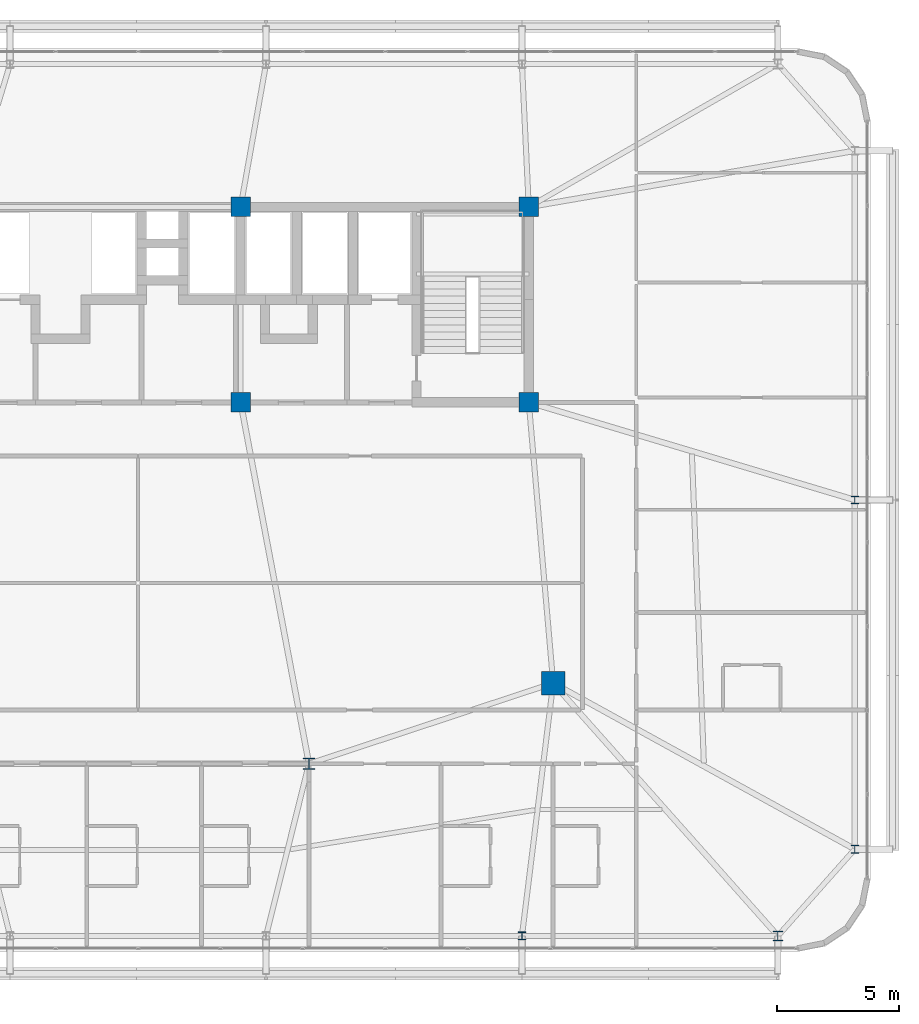
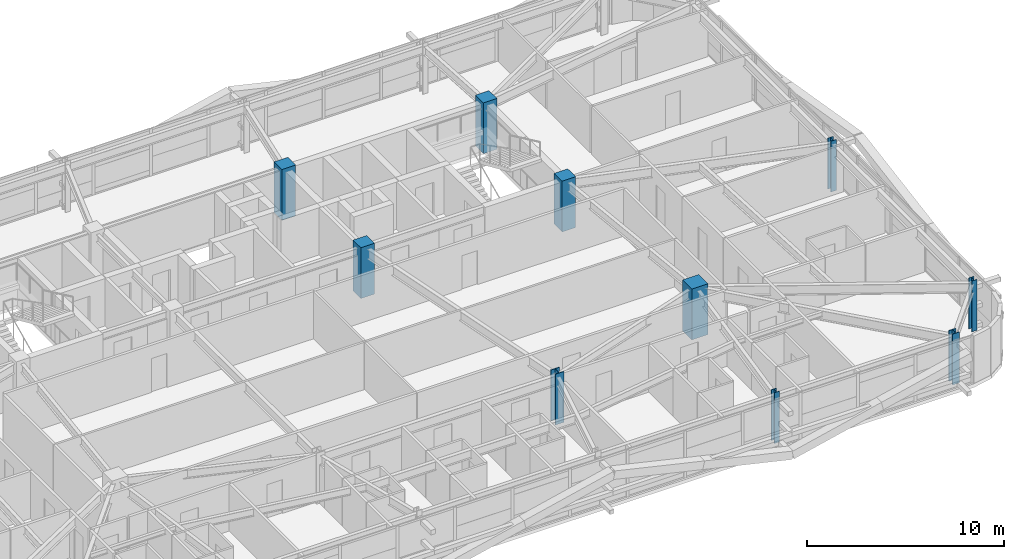
# One storey, part 2 of 59: 10 columns.
"""IFC4 building model written with IfcOpenShell, lengths in metres."""

from ifc_helpers import new_model, si_unit, direction, frame, origin, origin_2d, place, context, subcontext, project, spatial, rectangle, i_section, extrude, source, transform, mapped, material, material_profile, profile_set, type_object, element, save


model = new_model("IFC4")

# Units and contexts
model_context = context("Model", 3, precision=1e-05, world=origin(), true_north=direction((0.0, 1.0)))
body_context = subcontext(model_context, "Body", "Model", "MODEL_VIEW")
ifc_project = project(units=[si_unit("LENGTHUNIT", "METRE"), si_unit("AREAUNIT", "SQUARE_METRE"), si_unit("VOLUMEUNIT", "CUBIC_METRE"), si_unit("PLANEANGLEUNIT", "RADIAN"), si_unit("MASSUNIT", "GRAM", prefix="KILO")], contexts=[model_context])

# Site, building, storey
site_placement = place(None, origin())
site = spatial("IfcSite", under=ifc_project, at=site_placement, CompositionType="ELEMENT")
building_placement = place(site_placement, origin())
building = spatial("IfcBuilding", under=site, at=building_placement, Name="Taldren Reach Tower", CompositionType="ELEMENT")
storey_placement = place(building_placement, frame((0.0, 0.0, 23.10009765625)))
storey = spatial("IfcBuildingStorey", under=building, at=storey_placement, Name="L06", CompositionType="ELEMENT", Elevation=23.10009765625)

# Columns
ifc_material_1 = material(Name="Steel Gr 350 (350PLUS)", Category="steel")
ifc_material_profile_1 = material_profile(ifc_material_1, i_section(OverallWidth=0.5, OverallDepth=0.47998046875, WebThickness=0.028076171875, FlangeThickness=0.0439453125, at=origin_2d()), Name="500WC440")
ifc_profile_set_1 = profile_set([ifc_material_profile_1], Name="Steel Gr 350 (350PLUS)")
column_type_1 = type_object("IfcColumnType", Name="COL-WC500A", PredefinedType="COLUMN", material=ifc_profile_set_1)
shared_shape_1 = source(origin(), body_context, "Body", "SweptSolid", [
    extrude(i_section(OverallWidth=0.5, OverallDepth=0.47998046875, WebThickness=0.028076171875, FlangeThickness=0.0439453125, at=origin_2d()), origin(), (0.0, 0.0, 1.0), 3.14990234375),
])
column_1_placement = place(storey_placement, frame((42.0, 9.199951171875, 0.0), z_axis=(0.0, 0.0, 1.0), x_axis=(1.0, 0.0, 0.0)))
element("IfcColumn", 1, at=column_1_placement, inside=storey, type_object=column_type_1, Name="Mega column MC-PJE L06", PredefinedType="COLUMN", context=body_context, shape_type="MappedRepresentation", body=[
    mapped(shared_shape_1, transform((0.0, 0.0, 0.0), scale=1.0)),
])
ifc_material_2 = material(Name="Concrete S80 (80 MPa)", Category="concrete")
ifc_material_profile_2 = material_profile(ifc_material_2, rectangle(XDim=0.949951171875, YDim=0.949951171875, at=origin_2d()), Name="RC-950x950")
ifc_profile_set_2 = profile_set([ifc_material_profile_2], Name="Concrete S80 (80 MPa)")
column_type_2 = type_object("IfcColumnType", Name="COL-RC950", PredefinedType="COLUMN", material=ifc_profile_set_2)
shared_shape_2 = source(origin(), body_context, "Body", "SweptSolid", [
    extrude(rectangle(XDim=0.949951171875, YDim=0.949951171875, at=origin_2d()), origin(), (0.0, 0.0, 1.0), 3.14990234375),
])
column_2_placement = place(storey_placement, frame((52.0, 12.5, 0.0), z_axis=(0.0, 0.0, 1.0), x_axis=(1.0, 0.0, 0.0)))
element("IfcColumn", 2, at=column_2_placement, inside=storey, type_object=column_type_2, Name="Mega column MC-SE L06", PredefinedType="COLUMN", context=body_context, shape_type="MappedRepresentation", body=[
    mapped(shared_shape_2, transform((0.0, 0.0, 0.0), scale=1.0)),
])
ifc_material_profile_3 = material_profile(ifc_material_1, i_section(OverallWidth=0.39990234375, OverallDepth=0.39599609375, WebThickness=0.02197265625, FlangeThickness=0.033935546875, at=origin_2d()), Name="400WC270")
ifc_profile_set_3 = profile_set([ifc_material_profile_3], Name="Steel Gr 350 (350PLUS)")
column_type_3 = type_object("IfcColumnType", Name="COL-WC400", PredefinedType="COLUMN", material=ifc_profile_set_3)
shared_shape_3 = source(origin(), body_context, "Body", "SweptSolid", [
    extrude(i_section(OverallWidth=0.39990234375, OverallDepth=0.39599609375, WebThickness=0.02197265625, FlangeThickness=0.033935546875, at=origin_2d()), origin(), (0.0, 0.0, 1.0), 3.14990234375),
])
column_3_placement = place(storey_placement, frame((61.199951171875, 2.14990234375, 0.0), z_axis=(0.0, 0.0, 1.0), x_axis=(1.0, 0.0, 0.0)))
element("IfcColumn", 3, at=column_3_placement, inside=storey, type_object=column_type_3, Name="Block B1 perimeter column S6 L06", PredefinedType="COLUMN", context=body_context, shape_type="MappedRepresentation", body=[
    mapped(shared_shape_3, transform((0.0, 0.0, 0.0), scale=1.0)),
])
ifc_material_profile_4 = material_profile(ifc_material_1, i_section(OverallWidth=0.31103515625, OverallDepth=0.326904296875, WebThickness=0.015625, FlangeThickness=0.02490234375, at=origin_2d()), Name="310UC158")
ifc_profile_set_4 = profile_set([ifc_material_profile_4], Name="Steel Gr 350 (350PLUS)")
column_type_4 = type_object("IfcColumnType", Name="COL-UC310A", PredefinedType="COLUMN", material=ifc_profile_set_4)
shared_shape_4 = source(origin(), body_context, "Body", "SweptSolid", [
    extrude(i_section(OverallWidth=0.31103515625, OverallDepth=0.326904296875, WebThickness=0.015625, FlangeThickness=0.02490234375, at=origin_2d()), origin(), (0.0, 0.0, 1.0), 3.14990234375),
])
for number, where, z_axis, x_axis, name in (
    (4, (50.719970703125, 2.14990234375, 0.0), (0.0, 0.0, 1.0), (1.0, 0.0, 0.0), "Block B1 perimeter column S5 L06"),
    (5, (64.35009765625, 5.699951171875, 0.0), (0.0, 0.0, 1.0), (1.0, 0.0, 0.0), "Block B1 perimeter column E1 L06"),
    (6, (64.35009765625, 20.0, 0.0), (0.0, 0.0, 1.0), (1.0, 0.0, 0.0), "Block B1 perimeter column E2 L06"),
):
    element("IfcColumn", number, at=place(storey_placement, frame(where, z_axis=z_axis, x_axis=x_axis)), inside=storey, type_object=column_type_4, Name=name, PredefinedType="COLUMN", context=body_context, shape_type="MappedRepresentation", body=[
        mapped(shared_shape_4, transform((0.0, 0.0, 0.0), scale=1.0)),
    ])
ifc_material_3 = material(Name="Concrete S65 (65 MPa)", Category="concrete")
ifc_material_profile_5 = material_profile(ifc_material_3, rectangle(XDim=0.800048828125, YDim=0.800048828125, at=origin_2d()), Name="RC-800x800")
ifc_profile_set_5 = profile_set([ifc_material_profile_5], Name="Concrete S65 (65 MPa)")
column_type_5 = type_object("IfcColumnType", Name="COL-RC800", PredefinedType="COLUMN", material=ifc_profile_set_5)
shared_shape_5 = source(origin(), body_context, "Body", "SweptSolid", [
    extrude(rectangle(XDim=0.800048828125, YDim=0.800048828125, at=origin_2d()), origin(), (0.0, 0.0, 1.0), 3.14990234375),
])
for number, where, z_axis, x_axis, name in (
    (7, (39.199951171875, 24.0, 0.0), (0.0, 0.0, 1.0), (1.0, 0.0, 0.0), "Mega column MC-C3 L06"),
    (8, (51.0, 24.0, 0.0), (0.0, 0.0, 1.0), (1.0, 0.0, 0.0), "Mega column MC-C4 L06"),
    (9, (39.199951171875, 32.0, 0.0), (0.0, 0.0, 1.0), (1.0, 0.0, 0.0), "Mega column MC-C7 L06"),
    (10, (51.0, 32.0, 0.0), (0.0, 0.0, 1.0), (1.0, 0.0, 0.0), "Mega column MC-C8 L06"),
):
    element("IfcColumn", number, at=place(storey_placement, frame(where, z_axis=z_axis, x_axis=x_axis)), inside=storey, type_object=column_type_5, Name=name, PredefinedType="COLUMN", context=body_context, shape_type="MappedRepresentation", body=[
        mapped(shared_shape_5, transform((0.0, 0.0, 0.0), scale=1.0)),
    ])

save(model, "model.ifc")
